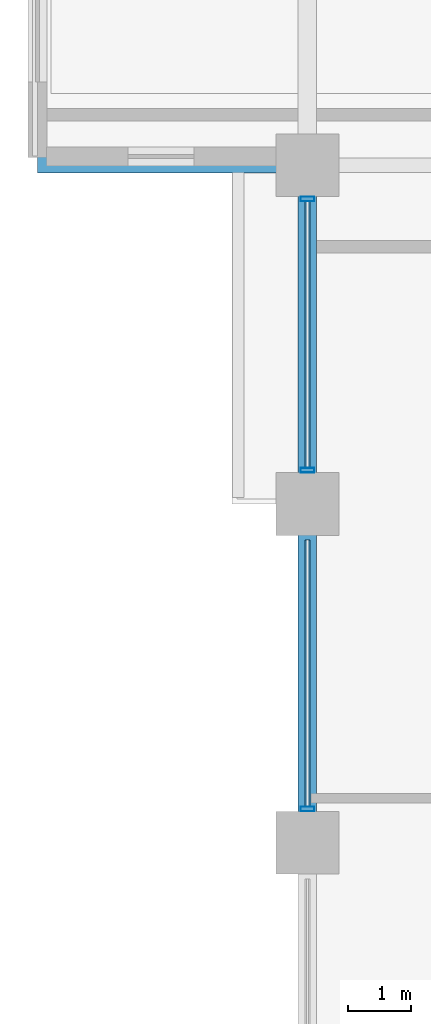
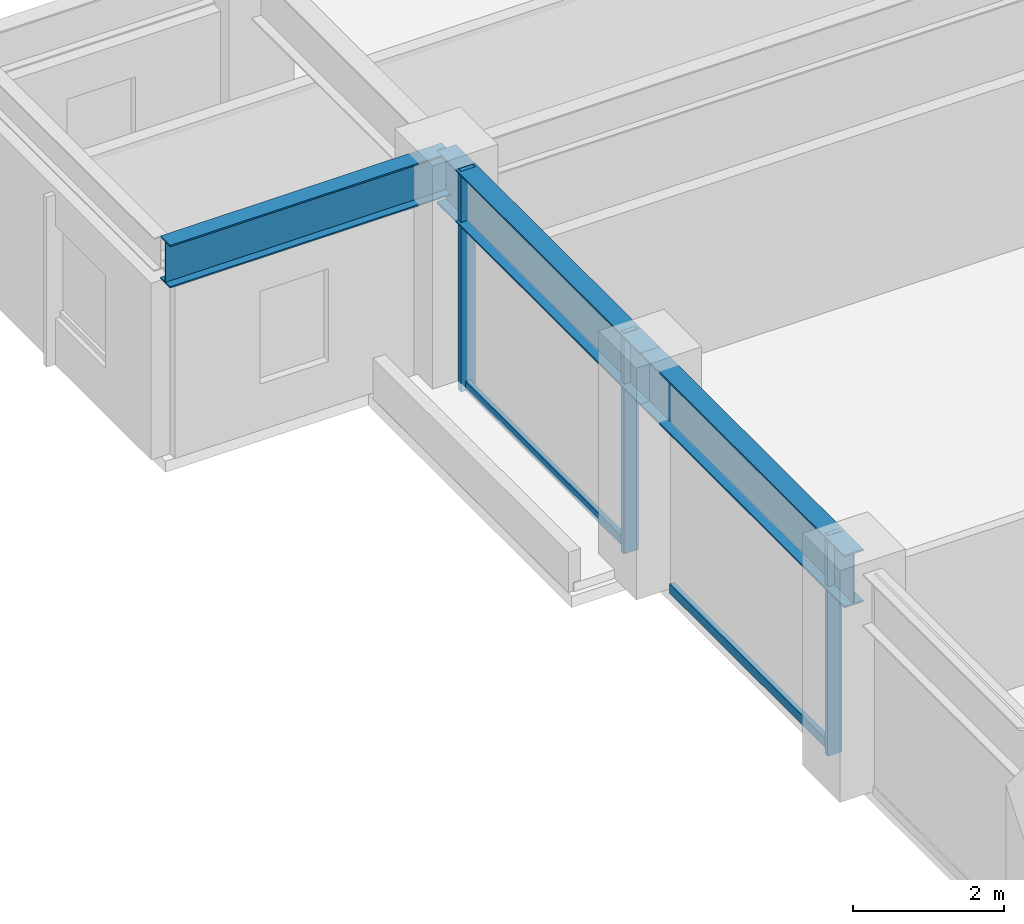
# One storey, part 5 of 29: 5 members, 3 beams, 1 element without a shape of its own.
"""IFC4 building model written with IfcOpenShell, lengths in metres."""

from ifc_helpers import new_model, si_unit, direction, frame, origin, origin_2d, place, context, subcontext, project, spatial, hollow_rectangle, i_section, extrude, material, layer, layer_set, material_profile, profile_set, type_object, element, aggregate, save


model = new_model("IFC4")

# Units and contexts
model_context = context("Model", 3, precision=1e-05, world=origin(), true_north=direction((0.0, 1.0)))
body_context = subcontext(model_context, "Body", "Model", "MODEL_VIEW")
ifc_project = project(units=[si_unit("LENGTHUNIT", "METRE"), si_unit("AREAUNIT", "SQUARE_METRE"), si_unit("VOLUMEUNIT", "CUBIC_METRE"), si_unit("PLANEANGLEUNIT", "RADIAN"), si_unit("MASSUNIT", "GRAM", prefix="KILO")], contexts=[model_context])

# Site, building, storey
site_placement = place(None, origin())
site = spatial("IfcSite", under=ifc_project, at=site_placement, CompositionType="ELEMENT")
building_placement = place(site_placement, origin())
building = spatial("IfcBuilding", under=site, at=building_placement, Name="Surkhivell Harbour Commons", CompositionType="ELEMENT")
storey_placement = place(building_placement, frame((0.0, 0.0, 150.75)))
storey = spatial("IfcBuildingStorey", under=building, at=storey_placement, Name="L39", CompositionType="ELEMENT", Elevation=150.75)

# Beams
ifc_material_1 = material(Name="Steel S460", Category="steel")
ifc_material_profile_1 = material_profile(ifc_material_1, i_section(OverallWidth=0.256103515625, OverallDepth=0.693115234375, WebThickness=0.014404296875, FlangeThickness=0.023681640625, at=origin_2d()), Name="UB686x254x170")
ifc_profile_set_1 = profile_set([ifc_material_profile_1], Name="Steel S460")
beam_type_1 = type_object("IfcBeamType", Name="BM-CNT-686", PredefinedType="BEAM", material=ifc_profile_set_1)
beam_placement = place(storey_placement, frame((-32.39990234375, 5.39990234375, 3.223388671875), z_axis=(-1.0, 0.0, 0.0), x_axis=(0.0, -1.0, 0.0)))
element("IfcBeam", 1, at=beam_placement, inside=storey, type_object=beam_type_1, Name="L39 Box Cantilever Outrigger (-32.4,5.4)", PredefinedType="BEAM", context=body_context, shape_type="SweptSolid", body=[
    extrude(i_section(OverallWidth=0.256103515625, OverallDepth=0.693115234375, WebThickness=0.014404296875, FlangeThickness=0.023681640625, at=origin_2d()), origin(), (0.0, 0.0, 1.0), 4.300048828125),
])
ifc_material_profile_2 = material_profile(ifc_material_1, i_section(OverallWidth=0.2939453125, OverallDepth=0.85107421875, WebThickness=0.01611328125, FlangeThickness=0.02685546875, at=origin_2d()), Name="UB838x292x226")
ifc_profile_set_2 = profile_set([ifc_material_profile_2], Name="Steel S460")
beam_type_2 = type_object("IfcBeamType", Name="BM-SPN-838", PredefinedType="SPANDREL", material=ifc_profile_set_2)
for number, where, z_axis, x_axis, name in (
    (2, (-32.39990234375, -5.39990234375, 3.14453125), (0.0, 1.0, 0.0), (-1.0, 0.0, 0.0), "L39 Tube Spandrel (-32.4,-5.4)"),
    (3, (-32.39990234375, 0.0, 3.14453125), (0.0, 1.0, 0.0), (-1.0, 0.0, 0.0), "L39 Tube Spandrel (-32.4,0.0)"),
):
    element("IfcBeam", number, at=place(storey_placement, frame(where, z_axis=z_axis, x_axis=x_axis)), inside=storey, type_object=beam_type_2, Name=name, PredefinedType="SPANDREL", context=body_context, shape_type="SweptSolid", body=[
        extrude(i_section(OverallWidth=0.2939453125, OverallDepth=0.85107421875, WebThickness=0.01611328125, FlangeThickness=0.02685546875, at=origin_2d()), origin(), (0.0, 0.0, 1.0), 5.39990234375),
    ])

# Curtain wall, members
ifc_material_2 = material(Name="Anodised pale-metal aluminium and insulated glazing", Category="aluminium")
ifc_layer = layer(ifc_material_2, 0.205078125)
ifc_layer_set = layer_set([ifc_layer], Name="Anodised pale-metal aluminium and insulated glazing")
curtain_wall_type = type_object("IfcCurtainWallType", Name="CW-SYS-Z2", PredefinedType="NOTDEFINED", material=ifc_layer_set)
curtain_wall_placement = place(storey_placement, origin())
curtain_wall = element("IfcCurtainWall", 4, at=curtain_wall_placement, inside=storey, type_object=curtain_wall_type, Name="L39 Curtain Wall CW-L39-E12R1S2", PredefinedType="NOTDEFINED")
ifc_material_3 = material(Name="Anodised pale-metal aluminium alloy 6063-T6", Category="aluminium")
ifc_material_profile_3 = material_profile(ifc_material_3, hollow_rectangle(XDim=0.074951171875, YDim=0.219970703125, WallThickness=0.00390625, at=origin_2d()), Name="ALU-MULL-75x220")
ifc_profile_set_3 = profile_set([ifc_material_profile_3], Name="Anodised pale-metal aluminium alloy 6063-T6")
member_type_1 = type_object("IfcMemberType", Name="CWM-220", PredefinedType="MULLION", material=ifc_profile_set_3)
member_1_placement = place(storey_placement, frame((-32.39990234375, -4.860595703125, 0.0), z_axis=(0.0, 0.0, 1.0), x_axis=(0.0, 1.0, 0.0)))
member_1 = element("IfcMember", 5, at=member_1_placement, type_object=member_type_1, Name="CW-Z2 mullion 2", PredefinedType="MULLION", context=body_context, shape_type="SweptSolid", body=[
    extrude(hollow_rectangle(XDim=0.074951171875, YDim=0.219970703125, WallThickness=0.00390625, at=origin_2d()), origin(), (0.0, 0.0, 1.0), 3.570068359375),
])
member_2_placement = place(storey_placement, frame((-32.39990234375, 0.53955078125, 0.0), z_axis=(0.0, 0.0, 1.0), x_axis=(0.0, 1.0, 0.0)))
member_2 = element("IfcMember", 6, at=member_2_placement, type_object=member_type_1, Name="CW-Z2 mullion 3", PredefinedType="MULLION", context=body_context, shape_type="SweptSolid", body=[
    extrude(hollow_rectangle(XDim=0.074951171875, YDim=0.219970703125, WallThickness=0.00390625, at=origin_2d()), origin(), (0.0, 0.0, 1.0), 3.570068359375),
])
member_3_placement = place(storey_placement, frame((-32.39990234375, 4.860595703125, 0.0), z_axis=(0.0, 0.0, 1.0), x_axis=(0.0, 1.0, 0.0)))
member_3 = element("IfcMember", 7, at=member_3_placement, type_object=member_type_1, Name="CW-Z2 mullion 4", PredefinedType="MULLION", context=body_context, shape_type="SweptSolid", body=[
    extrude(hollow_rectangle(XDim=0.074951171875, YDim=0.219970703125, WallThickness=0.00390625, at=origin_2d()), origin(), (0.0, 0.0, 1.0), 3.570068359375),
])
ifc_material_profile_4 = material_profile(ifc_material_3, hollow_rectangle(XDim=0.074951171875, YDim=0.14990234375, WallThickness=0.00341796875, at=origin_2d()), Name="ALU-TRAN-75x150")
ifc_profile_set_4 = profile_set([ifc_material_profile_4], Name="Anodised pale-metal aluminium alloy 6063-T6")
member_type_2 = type_object("IfcMemberType", Name="CWT-150", PredefinedType="USERDEFINED", material=ifc_profile_set_4)
member_4_placement = place(storey_placement, frame((-32.39990234375, -4.822998046875, 0.074951171875), z_axis=(0.0, 1.0, 0.0), x_axis=(-1.0, 0.0, 0.0)))
member_4 = element("IfcMember", 8, at=member_4_placement, type_object=member_type_2, Name="CW-Z2 transom 2.1", ObjectType="TRANSOM", PredefinedType="USERDEFINED", context=body_context, shape_type="SweptSolid", body=[
    extrude(hollow_rectangle(XDim=0.074951171875, YDim=0.14990234375, WallThickness=0.00341796875, at=origin_2d()), origin(), (0.0, 0.0, 1.0), 4.24609375),
])
member_5_placement = place(storey_placement, frame((-32.39990234375, 0.576904296875, 0.074951171875), z_axis=(0.0, 1.0, 0.0), x_axis=(-1.0, 0.0, 0.0)))
member_5 = element("IfcMember", 9, at=member_5_placement, type_object=member_type_2, Name="CW-Z2 transom 3.1", ObjectType="TRANSOM", PredefinedType="USERDEFINED", context=body_context, shape_type="SweptSolid", body=[
    extrude(hollow_rectangle(XDim=0.074951171875, YDim=0.14990234375, WallThickness=0.00341796875, at=origin_2d()), origin(), (0.0, 0.0, 1.0), 4.24609375),
])
aggregate(curtain_wall, [member_1, member_4, member_2, member_3, member_5])

save(model, "model.ifc")
